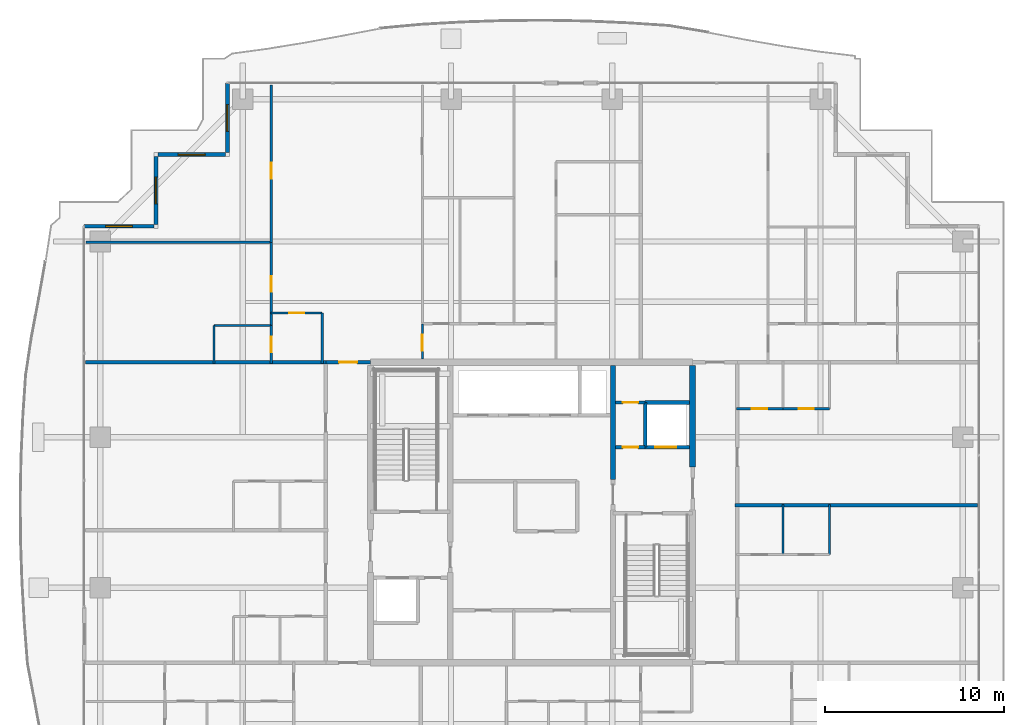
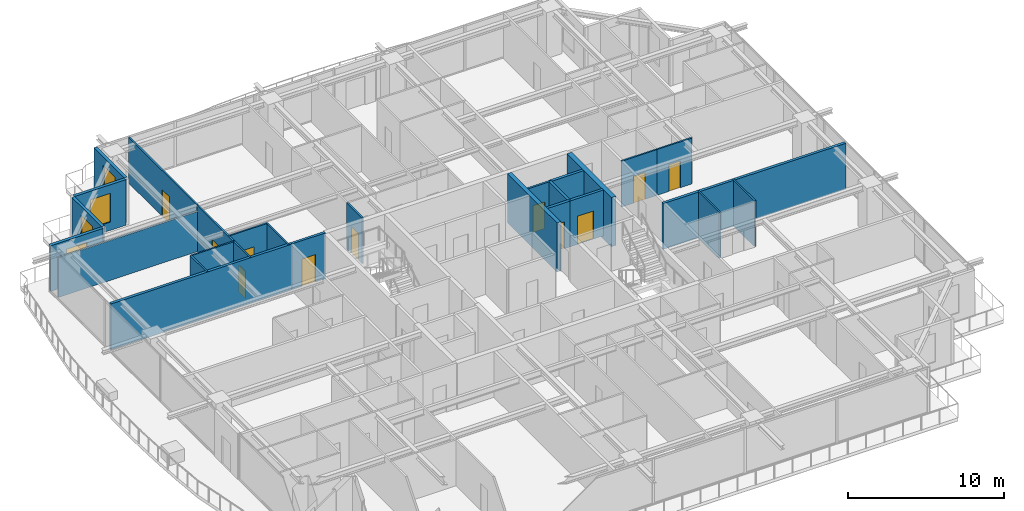
# One storey, part 30 of 39: 27 walls, 11 doors, 4 windows, 15 openings.
"""IFC4 building model written with IfcOpenShell, lengths in metres."""

from ifc_helpers import new_model, si_unit, direction, frame, frame_2d, origin, place, context, subcontext, project, spatial, rectangle, extrude, source, transform, mapped, material, layer, layer_set, type_object, element, fill, save


model = new_model("IFC4")

# Units and contexts
model_context = context("Model", 3, precision=1e-05, world=origin(), true_north=direction((0.0, 1.0)))
body_context = subcontext(model_context, "Body", "Model", "MODEL_VIEW")
ifc_project = project(units=[si_unit("LENGTHUNIT", "METRE"), si_unit("AREAUNIT", "SQUARE_METRE"), si_unit("VOLUMEUNIT", "CUBIC_METRE"), si_unit("PLANEANGLEUNIT", "RADIAN"), si_unit("MASSUNIT", "GRAM", prefix="KILO")], contexts=[model_context])

# Site, building, storey
site_placement = place(None, origin())
site = spatial("IfcSite", under=ifc_project, at=site_placement, CompositionType="ELEMENT")
building_placement = place(site_placement, origin())
building = spatial("IfcBuilding", under=site, at=building_placement, Name="Serunith Strait Residences", CompositionType="ELEMENT")
storey_placement = place(building_placement, frame((0.0, 0.0, 222.0)))
storey = spatial("IfcBuildingStorey", under=building, at=storey_placement, Name="L55", CompositionType="ELEMENT", Elevation=222.0)

# Wall, opening, window
ifc_material_1 = material(Name="Pale-Champagne Aluminium Insulated Panel", Category="aluminium")
ifc_layer_1 = layer(ifc_material_1, 0.219970703125, Name="Pale-Champagne Aluminium Insulated Panel")
ifc_layer_set_1 = layer_set([ifc_layer_1], Name="Pale-Champagne Aluminium Insulated Panel")
wall_type_1 = type_object("IfcWallType", Name="EW-ALUM-220", PredefinedType="ELEMENTEDWALL", material=ifc_layer_set_1)
wall_1_placement = place(storey_placement, frame((15.39990234375, 49.199951171875, 0.0), z_axis=(0.0, 0.0, 1.0), x_axis=(0.0, -1.0, 0.0)))
wall_1 = element("IfcWall", 1, at=wall_1_placement, inside=storey, type_object=wall_type_1, Name="L55 Girih Serrated Corner Wall 12", PredefinedType="ELEMENTEDWALL", context=body_context, shape_type="SweptSolid", body=[
    extrude(rectangle(XDim=3.889892578125, YDim=0.219970703125, at=frame_2d((1.94482421875, 0.0))), origin(), (0.0, 0.0, 1.0), 3.574951171875),
])
opening_1_placement = place(wall_1_placement, frame((1.195068359375, 0.0, 0.64990234375)))
opening_1 = element("IfcOpeningElement", 2, at=opening_1_placement, cuts=wall_1, Name="Opening W-05", PredefinedType="OPENING", context=body_context, shape_type="SweptSolid", body=[
    extrude(rectangle(XDim=1.5, YDim=2.25, at=frame_2d((0.75, 1.125))), frame((0.0, 0.1201171875, 0.0), z_axis=(0.0, -1.0, 0.0), x_axis=(1.0, 0.0, 0.0)), (0.0, 0.0, 1.0), 0.239990234375),
])
ifc_material_2 = material(Name="Ceramic-Fritted Operable Aluminium Window Glass", Category="aluminium")
window_type = type_object("IfcWindowType", Name="WIN-C5", PartitioningType="DOUBLE_PANEL_VERTICAL", PredefinedType="WINDOW", material=ifc_material_2)
shared_shape_1 = source(origin(), body_context, "Body", "SweptSolid", [
    extrude(rectangle(XDim=1.5, YDim=2.25, at=frame_2d((0.75, 1.125))), frame((0.0, 0.030029296875, 0.0), z_axis=(0.0, -1.0, 0.0), x_axis=(1.0, 0.0, 0.0)), (0.0, 0.0, 1.0), 0.06005859375),
])
window_1_placement = place(opening_1_placement, origin())
window_1 = element("IfcWindow", 3, at=window_1_placement, inside=storey, type_object=window_type, Name="L55 Corner Operable Fritted Window 12", OverallHeight=2.25, OverallWidth=1.5, PartitioningType="SINGLE_PANEL", PredefinedType="WINDOW", context=body_context, shape_type="MappedRepresentation", body=[
    mapped(shared_shape_1, transform((0.0, 0.0, 0.0), scale=1.0)),
])
fill(opening_1, window_1)

wall_2_placement = place(storey_placement, frame((15.2900390625, 45.199951171875, 0.0), z_axis=(0.0, 0.0, 1.0), x_axis=(-1.0, 0.0, 0.0)))
wall_2 = element("IfcWall", 4, at=wall_2_placement, inside=storey, type_object=wall_type_1, Name="L55 Girih Serrated Corner Wall 13", PredefinedType="ELEMENTEDWALL", context=body_context, shape_type="SweptSolid", body=[
    extrude(rectangle(XDim=3.780029296875, YDim=0.219970703125, at=frame_2d((1.89013671875, 0.0))), origin(), (0.0, 0.0, 1.0), 3.574951171875),
])
opening_2_placement = place(wall_2_placement, frame((1.139892578125, 0.0, 0.64990234375)))
opening_2 = element("IfcOpeningElement", 5, at=opening_2_placement, cuts=wall_2, Name="Opening W-05", PredefinedType="OPENING", context=body_context, shape_type="SweptSolid", body=[
    extrude(rectangle(XDim=1.5, YDim=2.25, at=frame_2d((0.75, 1.125))), frame((0.0, 0.1201171875, 0.0), z_axis=(0.0, -1.0, 0.0), x_axis=(1.0, 0.0, 0.0)), (0.0, 0.0, 1.0), 0.239990234375),
])
window_2_placement = place(opening_2_placement, origin())
window_2 = element("IfcWindow", 6, at=window_2_placement, inside=storey, type_object=window_type, Name="L55 Corner Operable Fritted Window 13", OverallHeight=2.25, OverallWidth=1.5, PartitioningType="SINGLE_PANEL", PredefinedType="WINDOW", context=body_context, shape_type="MappedRepresentation", body=[
    mapped(shared_shape_1, transform((0.0, 0.0, 0.0), scale=1.0)),
])
fill(opening_2, window_2)

wall_3_placement = place(storey_placement, frame((11.39990234375, 45.090087890625, 0.0), z_axis=(0.0, 0.0, 1.0), x_axis=(0.0, -1.0, 0.0)))
wall_3 = element("IfcWall", 7, at=wall_3_placement, inside=storey, type_object=wall_type_1, Name="L55 Girih Serrated Corner Wall 14", PredefinedType="ELEMENTEDWALL", context=body_context, shape_type="SweptSolid", body=[
    extrude(rectangle(XDim=3.780029296875, YDim=0.219970703125, at=frame_2d((1.89013671875, 0.0))), origin(), (0.0, 0.0, 1.0), 3.574951171875),
])
opening_3_placement = place(wall_3_placement, frame((1.139892578125, 0.0, 0.64990234375)))
opening_3 = element("IfcOpeningElement", 8, at=opening_3_placement, cuts=wall_3, Name="Opening W-05", PredefinedType="OPENING", context=body_context, shape_type="SweptSolid", body=[
    extrude(rectangle(XDim=1.5, YDim=2.25, at=frame_2d((0.75, 1.125))), frame((0.0, 0.1201171875, 0.0), z_axis=(0.0, -1.0, 0.0), x_axis=(1.0, 0.0, 0.0)), (0.0, 0.0, 1.0), 0.239990234375),
])
window_3_placement = place(opening_3_placement, origin())
window_3 = element("IfcWindow", 9, at=window_3_placement, inside=storey, type_object=window_type, Name="L55 Corner Operable Fritted Window 14", OverallHeight=2.25, OverallWidth=1.5, PartitioningType="SINGLE_PANEL", PredefinedType="WINDOW", context=body_context, shape_type="MappedRepresentation", body=[
    mapped(shared_shape_1, transform((0.0, 0.0, 0.0), scale=1.0)),
])
fill(opening_3, window_3)

wall_4_placement = place(storey_placement, frame((11.2900390625, 41.199951171875, 0.0), z_axis=(0.0, 0.0, 1.0), x_axis=(-1.0, 0.0, 0.0)))
wall_4 = element("IfcWall", 10, at=wall_4_placement, inside=storey, type_object=wall_type_1, Name="L55 Girih Serrated Corner Wall 15", PredefinedType="ELEMENTEDWALL", context=body_context, shape_type="SweptSolid", body=[
    extrude(rectangle(XDim=3.89013671875, YDim=0.219970703125, at=frame_2d((1.945068359375, 0.0))), origin(), (0.0, 0.0, 1.0), 3.574951171875),
])
opening_4_placement = place(wall_4_placement, frame((1.195068359375, 0.0, 0.64990234375)))
opening_4 = element("IfcOpeningElement", 11, at=opening_4_placement, cuts=wall_4, Name="Opening W-05", PredefinedType="OPENING", context=body_context, shape_type="SweptSolid", body=[
    extrude(rectangle(XDim=1.5, YDim=2.25, at=frame_2d((0.75, 1.125))), frame((0.0, 0.1201171875, 0.0), z_axis=(0.0, -1.0, 0.0), x_axis=(1.0, 0.0, 0.0)), (0.0, 0.0, 1.0), 0.239990234375),
])
window_4_placement = place(opening_4_placement, origin())
window_4 = element("IfcWindow", 12, at=window_4_placement, inside=storey, type_object=window_type, Name="L55 Corner Operable Fritted Window 15", OverallHeight=2.25, OverallWidth=1.5, PartitioningType="SINGLE_PANEL", PredefinedType="WINDOW", context=body_context, shape_type="MappedRepresentation", body=[
    mapped(shared_shape_1, transform((0.0, 0.0, 0.0), scale=1.0)),
])
fill(opening_4, window_4)

# Wall, opening, door
ifc_material_3 = material(Name="Fire-rated masonry service closet wall", Category="masonry")
ifc_layer_2 = layer(ifc_material_3, 0.14990234375, Name="Fire-rated masonry service closet wall")
ifc_layer_set_2 = layer_set([ifc_layer_2], Name="Fire-rated masonry service closet wall")
wall_type_2 = type_object("IfcWallType", Name="IW-BOH-150", PredefinedType="PARTITIONING", material=ifc_layer_set_2)
wall_5_placement = place(storey_placement, frame((37.10009765625, 31.35009765625, 0.0), z_axis=(0.0, 0.0, 1.0), x_axis=(1.0, 0.0, 0.0)))
wall_5 = element("IfcWall", 13, at=wall_5_placement, inside=storey, type_object=wall_type_2, Name="L55 Partition Wall 011", PredefinedType="PARTITIONING", context=body_context, shape_type="SweptSolid", body=[
    extrude(rectangle(XDim=1.64794921875, YDim=0.14990234375, at=frame_2d((0.823974609375, 0.0))), origin(), (0.0, 0.0, 1.0), 3.590087890625),
])
opening_5_placement = place(wall_5_placement, frame((0.39892578125, 0.0, 0.0)))
opening_5 = element("IfcOpeningElement", 14, at=opening_5_placement, cuts=wall_5, Name="Opening FD-850", PredefinedType="OPENING", context=body_context, shape_type="SweptSolid", body=[
    extrude(rectangle(XDim=0.85009765625, YDim=2.10009765625, at=frame_2d((0.425048828125, 1.050048828125))), frame((0.0, 0.0849609375, 0.0), z_axis=(0.0, -1.0, 0.0), x_axis=(1.0, 0.0, 0.0)), (0.0, 0.0, 1.0), 0.169921875),
])
ifc_material_4 = material(Name="Powder-coated steel service closet door", Category="steel")
door_type_1 = type_object("IfcDoorType", Name="FD-BOH-850", OperationType="NOTDEFINED", PredefinedType="DOOR", material=ifc_material_4)
shared_shape_2 = source(origin(), body_context, "Body", "SweptSolid", [
    extrude(rectangle(XDim=0.85009765625, YDim=2.10009765625, at=frame_2d((0.425048828125, 1.050048828125))), frame((0.0, 0.02490234375, 0.0), z_axis=(0.0, -1.0, 0.0), x_axis=(1.0, 0.0, 0.0)), (0.0, 0.0, 1.0), 0.050048828125),
])
door_1_placement = place(opening_5_placement, origin())
door_1 = element("IfcDoor", 15, at=door_1_placement, inside=storey, type_object=door_type_1, Name="L55 Spare Parts Store Door", OperationType="SINGLE_SWING_LEFT", OverallHeight=2.10009765625, OverallWidth=0.85009765625, PredefinedType="DOOR", context=body_context, shape_type="MappedRepresentation", body=[
    mapped(shared_shape_2, transform((0.0, 0.0, 0.0), scale=1.0)),
])
fill(opening_5, door_1)

ifc_material_5 = material(Name="Fire-rated acoustic gypsum partition")
ifc_layer_3 = layer(ifc_material_5, 0.179931640625, Name="Fire-rated acoustic gypsum partition")
ifc_layer_set_3 = layer_set([ifc_layer_3], Name="Fire-rated acoustic gypsum partition")
wall_type_3 = type_object("IfcWallType", Name="IW-CORR-180", PredefinedType="PARTITIONING", material=ifc_layer_set_3)
wall_6_placement = place(storey_placement, frame((20.902099609375, 33.60009765625, 0.0), z_axis=(0.0, 0.0, 1.0), x_axis=(1.0, 0.0, 0.0)))
wall_6 = element("IfcWall", 16, at=wall_6_placement, inside=storey, type_object=wall_type_3, Name="L55 Partition Wall 028", PredefinedType="PARTITIONING", context=body_context, shape_type="SweptSolid", body=[
    extrude(rectangle(XDim=2.495849609375, YDim=0.179931640625, at=frame_2d((1.248046875, 0.0))), origin(), (0.0, 0.0, 1.0), 3.590087890625),
])
opening_6_placement = place(wall_6_placement, frame((0.748046875, 0.0, 0.0)))
opening_6 = element("IfcOpeningElement", 17, at=opening_6_placement, cuts=wall_6, Name="Opening D-APT1000", PredefinedType="OPENING", context=body_context, shape_type="SweptSolid", body=[
    extrude(rectangle(XDim=1.0, YDim=2.14990234375, at=frame_2d((0.5, 1.074951171875))), frame((0.0, 0.10009765625, 0.0), z_axis=(0.0, -1.0, 0.0), x_axis=(1.0, 0.0, 0.0)), (0.0, 0.0, 1.0), 0.199951171875),
])
ifc_material_6 = material(Name="Solid timber engineered fire door", Category="wood")
door_type_2 = type_object("IfcDoorType", Name="ID-APT-1000", OperationType="NOTDEFINED", PredefinedType="DOOR", material=ifc_material_6)
shared_shape_3 = source(origin(), body_context, "Body", "SweptSolid", [
    extrude(rectangle(XDim=1.0, YDim=2.14990234375, at=frame_2d((0.5, 1.074951171875))), frame((0.0, 0.02490234375, 0.0), z_axis=(0.0, -1.0, 0.0), x_axis=(1.0, 0.0, 0.0)), (0.0, 0.0, 1.0), 0.050048828125),
])
door_2_placement = place(opening_6_placement, origin())
door_2 = element("IfcDoor", 18, at=door_2_placement, inside=storey, type_object=door_type_2, Name="L55 Unit 03 Entrance Door", OperationType="SINGLE_SWING_RIGHT", OverallHeight=2.14990234375, OverallWidth=1.0, PredefinedType="DOOR", context=body_context, shape_type="MappedRepresentation", body=[
    mapped(shared_shape_3, transform((0.0, 0.0, 0.0), scale=1.0)),
])
fill(opening_6, door_2)

ifc_material_7 = material(Name="Lightweight steel-stud gypsum partition", Category="steel")
ifc_layer_4 = layer(ifc_material_7, 0.1201171875, Name="Lightweight steel-stud gypsum partition")
ifc_layer_set_4 = layer_set([ifc_layer_4], Name="Lightweight steel-stud gypsum partition")
wall_type_4 = type_object("IfcWallType", Name="IW-PART-120", PredefinedType="PARTITIONING", material=ifc_layer_set_4)
wall_7_placement = place(storey_placement, frame((17.85009765625, 36.35009765625, 0.0), z_axis=(0.0, 0.0, 1.0), x_axis=(1.0, 0.0, 0.0)))
wall_7 = element("IfcWall", 19, at=wall_7_placement, inside=storey, type_object=wall_type_4, Name="L55 Partition Wall 068", PredefinedType="PARTITIONING", context=body_context, shape_type="SweptSolid", body=[
    extrude(rectangle(XDim=2.849853515625, YDim=0.1201171875, at=frame_2d((1.4248046875, 0.0))), origin(), (0.0, 0.0, 1.0), 3.590087890625),
])
opening_7_placement = place(wall_7_placement, frame((1.0, 0.0, 0.0)))
opening_7 = element("IfcOpeningElement", 20, at=opening_7_placement, cuts=wall_7, Name="Opening D-RM850", PredefinedType="OPENING", context=body_context, shape_type="SweptSolid", body=[
    extrude(rectangle(XDim=0.85009765625, YDim=2.10009765625, at=frame_2d((0.425048828125, 1.050048828125))), frame((0.0, 0.070068359375, 0.0), z_axis=(0.0, -1.0, 0.0), x_axis=(1.0, 0.0, 0.0)), (0.0, 0.0, 1.0), 0.14013671875),
])
ifc_material_8 = material(Name="Engineered timber flush study and kitchen door", Category="wood")
door_type_3 = type_object("IfcDoorType", Name="ID-ROOM-850", OperationType="NOTDEFINED", PredefinedType="DOOR", material=ifc_material_8)
door_3_placement = place(opening_7_placement, origin())
door_3 = element("IfcDoor", 21, at=door_3_placement, inside=storey, type_object=door_type_3, Name="L55 Kitchen 5503 Door", OperationType="SINGLE_SWING_LEFT", OverallHeight=2.10009765625, OverallWidth=0.85009765625, PredefinedType="DOOR", context=body_context, shape_type="MappedRepresentation", body=[
    mapped(shared_shape_2, transform((0.0, 0.0, 0.0), scale=1.0)),
])
fill(opening_7, door_3)

# Wall
wall_8_placement = place(storey_placement, frame((20.699951171875, 36.35009765625, 0.0), z_axis=(0.0, 0.0, 1.0), x_axis=(0.0, -1.0, 0.0)))
element("IfcWall", 22, at=wall_8_placement, inside=storey, type_object=wall_type_4, Name="L55 Partition Wall 069", PredefinedType="PARTITIONING", context=body_context, shape_type="SweptSolid", body=[
    extrude(rectangle(XDim=2.81005859375, YDim=0.1201171875, at=frame_2d((1.405029296875, 0.0))), origin(), (0.0, 0.0, 1.0), 3.590087890625),
])

# Wall, opening, door
wall_9_placement = place(storey_placement, frame((17.85009765625, 49.10498046875, 0.0), z_axis=(0.0, 0.0, 1.0), x_axis=(0.0, -1.0, 0.0)))
wall_9 = element("IfcWall", 23, at=wall_9_placement, inside=storey, type_object=wall_type_4, Name="L55 Partition Wall 070", PredefinedType="PARTITIONING", context=body_context, shape_type="SweptSolid", body=[
    extrude(rectangle(XDim=8.799072265625, YDim=0.1201171875, at=frame_2d((4.3994140625, 0.0))), origin(), (0.0, 0.0, 1.0), 3.590087890625),
])
opening_8_placement = place(wall_9_placement, frame((4.343994140625, 0.0, 0.0)))
opening_8 = element("IfcOpeningElement", 24, at=opening_8_placement, cuts=wall_9, Name="Opening D-RM900", PredefinedType="OPENING", context=body_context, shape_type="SweptSolid", body=[
    extrude(rectangle(XDim=0.89990234375, YDim=2.10009765625, at=frame_2d((0.449951171875, 1.050048828125))), frame((0.0, 0.070068359375, 0.0), z_axis=(0.0, -1.0, 0.0), x_axis=(1.0, 0.0, 0.0)), (0.0, 0.0, 1.0), 0.14013671875),
])
ifc_material_9 = material(Name="Engineered timber flush bedroom door", Category="wood")
door_type_4 = type_object("IfcDoorType", Name="ID-ROOM-900", OperationType="NOTDEFINED", PredefinedType="DOOR", material=ifc_material_9)
shared_shape_4 = source(origin(), body_context, "Body", "SweptSolid", [
    extrude(rectangle(XDim=0.89990234375, YDim=2.10009765625, at=frame_2d((0.449951171875, 1.050048828125))), frame((0.0, 0.02490234375, 0.0), z_axis=(0.0, -1.0, 0.0), x_axis=(1.0, 0.0, 0.0)), (0.0, 0.0, 1.0), 0.050048828125),
])
door_4_placement = place(opening_8_placement, origin())
door_4 = element("IfcDoor", 25, at=door_4_placement, inside=storey, type_object=door_type_4, Name="L55 Master Bedroom 1 5503 Door", OperationType="SINGLE_SWING_RIGHT", OverallHeight=2.10009765625, OverallWidth=0.89990234375, PredefinedType="DOOR", context=body_context, shape_type="MappedRepresentation", body=[
    mapped(shared_shape_4, transform((0.0, 0.0, 0.0), scale=1.0)),
])
fill(opening_8, door_4)

# Walls
wall_10_placement = place(storey_placement, frame((7.4951171875, 40.305908203125, 0.0), z_axis=(0.0, 0.0, 1.0), x_axis=(1.0, 0.0, 0.0)))
element("IfcWall", 26, at=wall_10_placement, inside=storey, type_object=wall_type_4, Name="L55 Partition Wall 071", PredefinedType="PARTITIONING", context=body_context, shape_type="SweptSolid", body=[
    extrude(rectangle(XDim=10.35498046875, YDim=0.1201171875, at=frame_2d((5.177490234375, 0.0))), origin(), (0.0, 0.0, 1.0), 3.1220703125),
])
wall_11_placement = place(storey_placement, frame((14.64990234375, 35.64990234375, 0.0), z_axis=(0.0, 0.0, 1.0), x_axis=(1.0, 0.0, 0.0)))
element("IfcWall", 27, at=wall_11_placement, inside=storey, type_object=wall_type_4, Name="L55 Partition Wall 072", PredefinedType="PARTITIONING", context=body_context, shape_type="SweptSolid", body=[
    extrude(rectangle(XDim=3.2001953125, YDim=0.1201171875, at=frame_2d((1.60009765625, 0.0))), origin(), (0.0, 0.0, 1.0), 3.590087890625),
])
wall_12_placement = place(storey_placement, frame((14.64990234375, 35.64990234375, 0.0), z_axis=(0.0, 0.0, 1.0), x_axis=(0.0, -1.0, 0.0)))
element("IfcWall", 28, at=wall_12_placement, inside=storey, type_object=wall_type_4, Name="L55 Partition Wall 073", PredefinedType="PARTITIONING", context=body_context, shape_type="SweptSolid", body=[
    extrude(rectangle(XDim=2.10986328125, YDim=0.1201171875, at=frame_2d((1.054931640625, 0.0))), origin(), (0.0, 0.0, 1.0), 3.590087890625),
])

# Wall, opening, door
wall_13_placement = place(storey_placement, frame((17.85009765625, 40.303955078125, 0.0), z_axis=(0.0, 0.0, 1.0), x_axis=(0.0, -1.0, 0.0)))
wall_13 = element("IfcWall", 29, at=wall_13_placement, inside=storey, type_object=wall_type_4, Name="L55 Partition Wall 074", PredefinedType="PARTITIONING", context=body_context, shape_type="SweptSolid", body=[
    extrude(rectangle(XDim=4.654052734375, YDim=0.1201171875, at=frame_2d((2.3271484375, 0.0))), origin(), (0.0, 0.0, 1.0), 3.590087890625),
])
opening_9_placement = place(wall_13_placement, frame((1.902099609375, 0.0, 0.0)))
opening_9 = element("IfcOpeningElement", 30, at=opening_9_placement, cuts=wall_13, Name="Opening D-RM850", PredefinedType="OPENING", context=body_context, shape_type="SweptSolid", body=[
    extrude(rectangle(XDim=0.85009765625, YDim=2.10009765625, at=frame_2d((0.425048828125, 1.050048828125))), frame((0.0, 0.070068359375, 0.0), z_axis=(0.0, -1.0, 0.0), x_axis=(1.0, 0.0, 0.0)), (0.0, 0.0, 1.0), 0.14013671875),
])
door_5_placement = place(opening_9_placement, origin())
door_5 = element("IfcDoor", 31, at=door_5_placement, inside=storey, type_object=door_type_3, Name="L55 Walk-in Wardrobe 5503 Door", OperationType="SINGLE_SWING_LEFT", OverallHeight=2.10009765625, OverallWidth=0.85009765625, PredefinedType="DOOR", context=body_context, shape_type="MappedRepresentation", body=[
    mapped(shared_shape_2, transform((0.0, 0.0, 0.0), scale=1.0)),
])
fill(opening_9, door_5)

wall_14_placement = place(storey_placement, frame((17.85009765625, 35.64794921875, 0.0), z_axis=(0.0, 0.0, 1.0), x_axis=(0.0, -1.0, 0.0)))
wall_14 = element("IfcWall", 32, at=wall_14_placement, inside=storey, type_object=wall_type_4, Name="L55 Partition Wall 075", PredefinedType="PARTITIONING", context=body_context, shape_type="SweptSolid", body=[
    extrude(rectangle(XDim=2.10791015625, YDim=0.1201171875, at=frame_2d((1.053955078125, 0.0))), origin(), (0.0, 0.0, 1.0), 3.590087890625),
])
opening_10_placement = place(wall_14_placement, frame((0.62890625, 0.0, 0.0)))
opening_10 = element("IfcOpeningElement", 33, at=opening_10_placement, cuts=wall_14, Name="Opening D-BTH850", PredefinedType="OPENING", context=body_context, shape_type="SweptSolid", body=[
    extrude(rectangle(XDim=0.85009765625, YDim=2.10009765625, at=frame_2d((0.425048828125, 1.050048828125))), frame((0.0, 0.070068359375, 0.0), z_axis=(0.0, -1.0, 0.0), x_axis=(1.0, 0.0, 0.0)), (0.0, 0.0, 1.0), 0.14013671875),
])
ifc_material_10 = material(Name="Moisture-resistant timber bathroom door", Category="wood")
door_type_5 = type_object("IfcDoorType", Name="ID-BATH-850", OperationType="NOTDEFINED", PredefinedType="DOOR", material=ifc_material_10)
door_6_placement = place(opening_10_placement, origin())
door_6 = element("IfcDoor", 34, at=door_6_placement, inside=storey, type_object=door_type_5, Name="L55 Bathroom 5503 Door", OperationType="SINGLE_SWING_RIGHT", OverallHeight=2.10009765625, OverallWidth=0.85009765625, PredefinedType="DOOR", context=body_context, shape_type="MappedRepresentation", body=[
    mapped(shared_shape_2, transform((0.0, 0.0, 0.0), scale=1.0)),
])
fill(opening_10, door_6)

wall_15_placement = place(storey_placement, frame((26.300048828125, 35.75, 0.0), z_axis=(0.0, 0.0, 1.0), x_axis=(0.0, -1.0, 0.0)))
wall_15 = element("IfcWall", 35, at=wall_15_placement, inside=storey, type_object=wall_type_4, Name="L55 Partition Wall 076", PredefinedType="PARTITIONING", context=body_context, shape_type="SweptSolid", body=[
    extrude(rectangle(XDim=1.97509765625, YDim=0.1201171875, at=frame_2d((0.987548828125, 0.0))), origin(), (0.0, 0.0, 1.0), 3.590087890625),
])
opening_11_placement = place(wall_15_placement, frame((0.60107421875, 0.0, 0.0)))
opening_11 = element("IfcOpeningElement", 36, at=opening_11_placement, cuts=wall_15, Name="Opening D-RM900", PredefinedType="OPENING", context=body_context, shape_type="SweptSolid", body=[
    extrude(rectangle(XDim=0.89990234375, YDim=2.10009765625, at=frame_2d((0.449951171875, 1.050048828125))), frame((0.0, 0.070068359375, 0.0), z_axis=(0.0, -1.0, 0.0), x_axis=(1.0, 0.0, 0.0)), (0.0, 0.0, 1.0), 0.14013671875),
])
door_7_placement = place(opening_11_placement, origin())
door_7 = element("IfcDoor", 37, at=door_7_placement, inside=storey, type_object=door_type_4, Name="L55 Hall E 5503 Door", OperationType="SINGLE_SWING_LEFT", OverallHeight=2.10009765625, OverallWidth=0.89990234375, PredefinedType="DOOR", context=body_context, shape_type="MappedRepresentation", body=[
    mapped(shared_shape_4, transform((0.0, 0.0, 0.0), scale=1.0)),
])
fill(opening_11, door_7)

# Walls
for number, where, z_axis, x_axis, name in (
    (38, (46.449951171875, 22.85009765625, 0.0), (0.0, 0.0, 1.0), (0.0, 1.0, 0.0), "L55 Partition Wall 113"),
    (39, (49.050048828125, 22.85009765625, 0.0), (0.0, 0.0, 1.0), (0.0, 1.0, 0.0), "L55 Partition Wall 114"),
):
    element("IfcWall", number, at=place(storey_placement, frame(where, z_axis=z_axis, x_axis=x_axis)), inside=storey, type_object=wall_type_4, Name=name, PredefinedType="PARTITIONING", context=body_context, shape_type="SweptSolid", body=[
        extrude(rectangle(XDim=2.809814453125, YDim=0.1201171875, at=frame_2d((1.40478515625, 0.0))), origin(), (0.0, 0.0, 1.0), 3.590087890625),
    ])

# Wall, opening, door
wall_16_placement = place(storey_placement, frame((49.050048828125, 31.0, 0.0), z_axis=(0.0, 0.0, 1.0), x_axis=(-1.0, 0.0, 0.0)))
wall_16 = element("IfcWall", 40, at=wall_16_placement, inside=storey, type_object=wall_type_4, Name="L55 Partition Wall 115", PredefinedType="PARTITIONING", context=body_context, shape_type="SweptSolid", body=[
    extrude(rectangle(XDim=2.60009765625, YDim=0.1201171875, at=frame_2d((1.300048828125, 0.0))), origin(), (0.0, 0.0, 1.0), 3.590087890625),
])
opening_12_placement = place(wall_16_placement, frame((0.875, 0.0, 0.0)))
opening_12 = element("IfcOpeningElement", 41, at=opening_12_placement, cuts=wall_16, Name="Opening D-RM850", PredefinedType="OPENING", context=body_context, shape_type="SweptSolid", body=[
    extrude(rectangle(XDim=0.85009765625, YDim=2.10009765625, at=frame_2d((0.425048828125, 1.050048828125))), frame((0.0, 0.070068359375, 0.0), z_axis=(0.0, -1.0, 0.0), x_axis=(1.0, 0.0, 0.0)), (0.0, 0.0, 1.0), 0.14013671875),
])
door_8_placement = place(opening_12_placement, origin())
door_8 = element("IfcDoor", 42, at=door_8_placement, inside=storey, type_object=door_type_3, Name="L55 Kitchen 5508 Door", OperationType="SINGLE_SWING_LEFT", OverallHeight=2.10009765625, OverallWidth=0.85009765625, PredefinedType="DOOR", context=body_context, shape_type="MappedRepresentation", body=[
    mapped(shared_shape_2, transform((0.0, 0.0, 0.0), scale=1.0)),
])
fill(opening_12, door_8)

wall_17_placement = place(storey_placement, frame((46.447998046875, 31.0, 0.0), z_axis=(0.0, 0.0, 1.0), x_axis=(-1.0, 0.0, 0.0)))
wall_17 = element("IfcWall", 43, at=wall_17_placement, inside=storey, type_object=wall_type_4, Name="L55 Partition Wall 116", PredefinedType="PARTITIONING", context=body_context, shape_type="SweptSolid", body=[
    extrude(rectangle(XDim=2.60791015625, YDim=0.1201171875, at=frame_2d((1.303955078125, 0.0))), origin(), (0.0, 0.0, 1.0), 3.590087890625),
])
opening_13_placement = place(wall_17_placement, frame((0.87890625, 0.0, 0.0)))
opening_13 = element("IfcOpeningElement", 44, at=opening_13_placement, cuts=wall_17, Name="Opening D-BTH850", PredefinedType="OPENING", context=body_context, shape_type="SweptSolid", body=[
    extrude(rectangle(XDim=0.85009765625, YDim=2.10009765625, at=frame_2d((0.425048828125, 1.050048828125))), frame((0.0, 0.070068359375, 0.0), z_axis=(0.0, -1.0, 0.0), x_axis=(1.0, 0.0, 0.0)), (0.0, 0.0, 1.0), 0.14013671875),
])
door_9_placement = place(opening_13_placement, origin())
door_9 = element("IfcDoor", 45, at=door_9_placement, inside=storey, type_object=door_type_5, Name="L55 Bathroom 5508 Door", OperationType="SINGLE_SWING_RIGHT", OverallHeight=2.10009765625, OverallWidth=0.85009765625, PredefinedType="DOOR", context=body_context, shape_type="MappedRepresentation", body=[
    mapped(shared_shape_2, transform((0.0, 0.0, 0.0), scale=1.0)),
])
fill(opening_13, door_9)

# Walls
ifc_material_11 = material(Name="Twin-stud acoustic gypsum board partition")
ifc_layer_5 = layer(ifc_material_11, 0.199951171875, Name="Twin-stud acoustic gypsum board partition")
ifc_layer_set_5 = layer_set([ifc_layer_5], Name="Twin-stud acoustic gypsum board partition")
wall_type_5 = type_object("IfcWallType", Name="IW-PARTY-200", PredefinedType="PARTITIONING", material=ifc_layer_set_5)
wall_18_placement = place(storey_placement, frame((43.780029296875, 25.60009765625, 0.0), z_axis=(0.0, 0.0, 1.0), x_axis=(1.0, 0.0, 0.0)))
element("IfcWall", 46, at=wall_18_placement, inside=storey, type_object=wall_type_5, Name="L55 Partition Wall 022", PredefinedType="PARTITIONING", context=body_context, shape_type="SweptSolid", body=[
    extrude(rectangle(XDim=13.5380859375, YDim=0.199951171875, at=frame_2d((6.76904296875, 0.0))), origin(), (0.0, 0.0, 1.0), 3.590087890625),
])
wall_19_placement = place(storey_placement, frame((7.48193359375, 33.60009765625, 0.0), z_axis=(0.0, 0.0, 1.0), x_axis=(1.0, 0.0, 0.0)))
element("IfcWall", 47, at=wall_19_placement, inside=storey, type_object=wall_type_5, Name="L55 Partition Wall 025", PredefinedType="PARTITIONING", context=body_context, shape_type="SweptSolid", body=[
    extrude(rectangle(XDim=13.41796875, YDim=0.199951171875, at=frame_2d((6.708984375, 0.0))), origin(), (0.0, 0.0, 1.0), 3.590087890625),
])

# Wall, opening, door
ifc_material_12 = material(Name="Autoclaved aerated concrete blockwork", Category="masonry")
ifc_layer_6 = layer(ifc_material_12, 0.199951171875, Name="Autoclaved aerated concrete blockwork")
ifc_layer_set_6 = layer_set([ifc_layer_6], Name="Autoclaved aerated concrete blockwork")
wall_type_6 = type_object("IfcWallType", Name="IW-SHAFT-200", PredefinedType="STANDARD", material=ifc_layer_set_6)
wall_20_placement = place(storey_placement, frame((38.75, 28.85009765625, 0.0), z_axis=(0.0, 0.0, 1.0), x_axis=(1.0, 0.0, 0.0)))
wall_20 = element("IfcWall", 48, at=wall_20_placement, inside=storey, type_object=wall_type_6, Name="L55 FL-2 South Shaft Wall", PredefinedType="STANDARD", context=body_context, shape_type="SweptSolid", body=[
    extrude(rectangle(XDim=2.47509765625, YDim=0.199951171875, at=frame_2d((1.237548828125, 0.0))), origin(), (0.0, 0.0, 1.0), 3.590087890625),
])
opening_14_placement = place(wall_20_placement, frame((0.550048828125, 0.0, 0.0)))
opening_14 = element("IfcOpeningElement", 49, at=opening_14_placement, cuts=wall_20, Name="Opening LD-FF1200", PredefinedType="OPENING", context=body_context, shape_type="SweptSolid", body=[
    extrude(rectangle(XDim=1.199951171875, YDim=2.199951171875, at=frame_2d((0.60009765625, 1.10009765625))), frame((0.0, 0.10986328125, 0.0), z_axis=(0.0, -1.0, 0.0), x_axis=(1.0, 0.0, 0.0)), (0.0, 0.0, 1.0), 0.219970703125),
])
ifc_material_13 = material(Name="Brushed stainless steel landing door", Category="steel")
door_type_6 = type_object("IfcDoorType", Name="LD-FF-1200", OperationType="DOUBLE_DOOR_SLIDING", PredefinedType="DOOR", material=ifc_material_13)
shared_shape_5 = source(origin(), body_context, "Body", "SweptSolid", [
    extrude(rectangle(XDim=1.199951171875, YDim=2.199951171875, at=frame_2d((0.60009765625, 1.10009765625))), frame((0.0, 0.02490234375, 0.0), z_axis=(0.0, -1.0, 0.0), x_axis=(1.0, 0.0, 0.0)), (0.0, 0.0, 1.0), 0.050048828125),
])
door_10_placement = place(opening_14_placement, origin())
door_10 = element("IfcDoor", 50, at=door_10_placement, inside=storey, type_object=door_type_6, Name="L55 FL-2 Landing Door", OperationType="DOUBLE_DOOR_SLIDING", OverallHeight=2.199951171875, OverallWidth=1.199951171875, PredefinedType="DOOR", context=body_context, shape_type="MappedRepresentation", body=[
    mapped(shared_shape_5, transform((0.0, 0.0, 0.0), scale=1.0)),
])
fill(opening_14, door_10)

# Walls
wall_21_placement = place(storey_placement, frame((38.75, 28.85009765625, 0.0), z_axis=(0.0, 0.0, 1.0), x_axis=(0.0, 1.0, 0.0)))
element("IfcWall", 51, at=wall_21_placement, inside=storey, type_object=wall_type_6, Name="L55 Partition Wall 004", PredefinedType="STANDARD", context=body_context, shape_type="SweptSolid", body=[
    extrude(rectangle(XDim=2.5, YDim=0.199951171875, at=frame_2d((1.25, 0.0))), origin(), (0.0, 0.0, 1.0), 3.590087890625),
])
wall_22_placement = place(storey_placement, frame((38.75, 31.35009765625, 0.0), z_axis=(0.0, 0.0, 1.0), x_axis=(1.0, 0.0, 0.0)))
element("IfcWall", 52, at=wall_22_placement, inside=storey, type_object=wall_type_6, Name="L55 Partition Wall 005", PredefinedType="STANDARD", context=body_context, shape_type="SweptSolid", body=[
    extrude(rectangle(XDim=2.47509765625, YDim=0.199951171875, at=frame_2d((1.237548828125, 0.0))), origin(), (0.0, 0.0, 1.0), 3.590087890625),
])

# Wall, opening, door
wall_23_placement = place(storey_placement, frame((37.10009765625, 28.85009765625, 0.0), z_axis=(0.0, 0.0, 1.0), x_axis=(1.0, 0.0, 0.0)))
wall_23 = element("IfcWall", 53, at=wall_23_placement, inside=storey, type_object=wall_type_6, Name="L55 Partition Wall 006", PredefinedType="STANDARD", context=body_context, shape_type="SweptSolid", body=[
    extrude(rectangle(XDim=1.64794921875, YDim=0.199951171875, at=frame_2d((0.823974609375, 0.0))), origin(), (0.0, 0.0, 1.0), 3.590087890625),
])
opening_15_placement = place(wall_23_placement, frame((0.39892578125, 0.0, 0.0)))
opening_15 = element("IfcOpeningElement", 54, at=opening_15_placement, cuts=wall_23, Name="Opening FD-850", PredefinedType="OPENING", context=body_context, shape_type="SweptSolid", body=[
    extrude(rectangle(XDim=0.85009765625, YDim=2.10009765625, at=frame_2d((0.425048828125, 1.050048828125))), frame((0.0, 0.10986328125, 0.0), z_axis=(0.0, -1.0, 0.0), x_axis=(1.0, 0.0, 0.0)), (0.0, 0.0, 1.0), 0.219970703125),
])
door_11_placement = place(opening_15_placement, origin())
door_11 = element("IfcDoor", 55, at=door_11_placement, inside=storey, type_object=door_type_1, Name="L55 North-East Core Service Door", OperationType="SINGLE_SWING_RIGHT", OverallHeight=2.10009765625, OverallWidth=0.85009765625, PredefinedType="DOOR", context=body_context, shape_type="MappedRepresentation", body=[
    mapped(shared_shape_2, transform((0.0, 0.0, 0.0), scale=1.0)),
])
fill(opening_15, door_11)

# Walls
ifc_material_14 = material(Name="Concrete C60/75", Category="concrete")
ifc_layer_7 = layer(ifc_material_14, 0.300048828125, Name="Concrete C60/75")
ifc_layer_set_7 = layer_set([ifc_layer_7], Name="Concrete C60/75")
wall_type_7 = type_object("IfcWallType", Name="SW-300-C60", PredefinedType="SHEAR", material=ifc_layer_set_7)
wall_24_placement = place(storey_placement, frame((36.949951171875, 27.050048828125, -0.260009765625), z_axis=(0.0, 0.0, 1.0), x_axis=(0.0, 1.0, 0.0)))
element("IfcWall", 56, at=wall_24_placement, inside=storey, type_object=wall_type_7, Name="L55 Core Internal East Web North Pier", PredefinedType="SHEAR", context=body_context, shape_type="SweptSolid", body=[
    extrude(rectangle(XDim=6.375, YDim=0.300048828125, at=frame_2d((3.1875, 0.0))), origin(), (0.0, 0.0, 1.0), 3.847900390625),
])
ifc_layer_8 = layer(ifc_material_14, 0.35009765625, Name="Concrete C60/75")
ifc_layer_set_8 = layer_set([ifc_layer_8], Name="Concrete C60/75")
wall_type_8 = type_object("IfcWallType", Name="SW-350-C60", PredefinedType="SHEAR", material=ifc_layer_set_8)
wall_25_placement = place(storey_placement, frame((41.39990234375, 27.75, -0.260009765625), z_axis=(0.0, 0.0, 1.0), x_axis=(0.0, 1.0, 0.0)))
element("IfcWall", 57, at=wall_25_placement, inside=storey, type_object=wall_type_8, Name="L55 Core East Shear Wall North Pier", PredefinedType="SHEAR", context=body_context, shape_type="SweptSolid", body=[
    extrude(rectangle(XDim=5.675048828125, YDim=0.35009765625, at=frame_2d((2.83740234375, 0.0))), origin(), (0.0, 0.0, 1.0), 3.847900390625),
])

save(model, "model.ifc")
